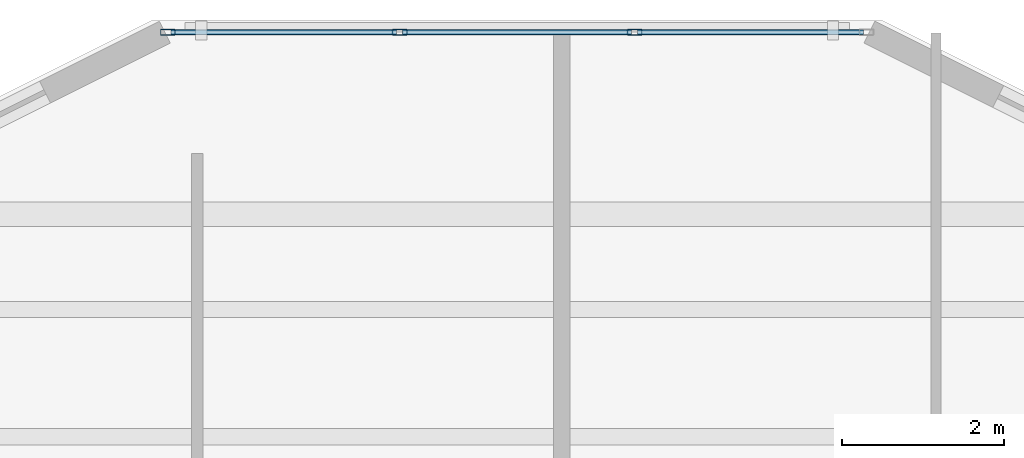
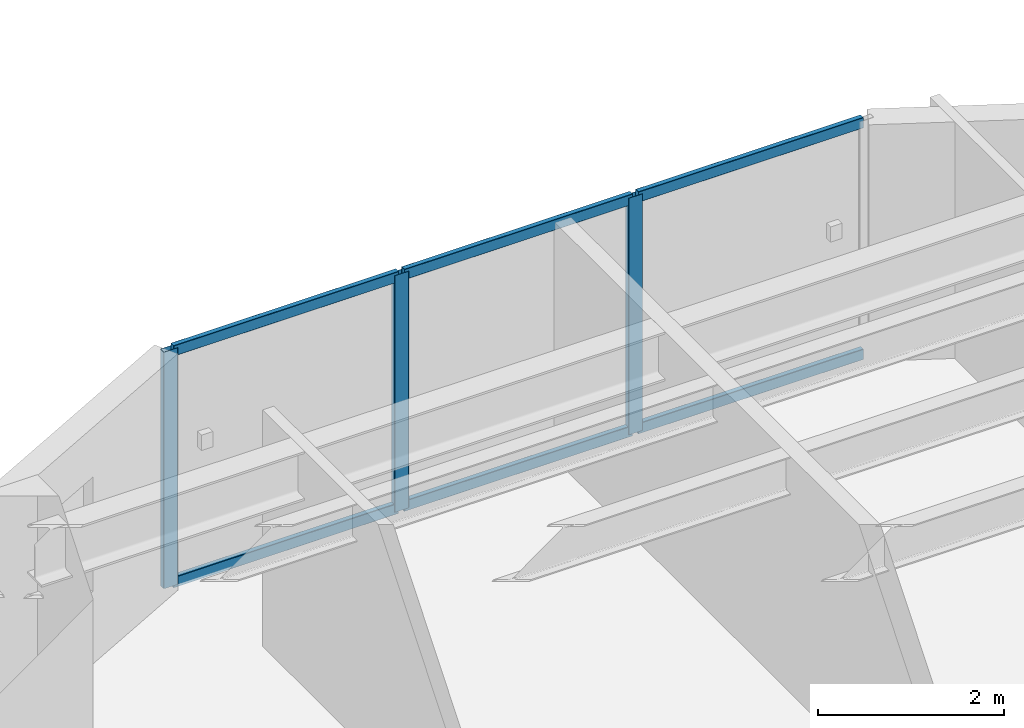
# One storey, part 6 of 21: 9 members, 1 element without a shape of its own.
"""IFC4 building model written with IfcOpenShell, lengths in metres."""

from ifc_helpers import new_model, si_unit, direction, frame, origin, origin_2d, place, context, subcontext, project, spatial, hollow_rectangle, extrude, material, layer, layer_set, material_profile, profile_set, type_object, element, aggregate, save


model = new_model("IFC4")

# Units and contexts
model_context = context("Model", 3, precision=1e-05, world=origin(), true_north=direction((0.0, 1.0)))
body_context = subcontext(model_context, "Body", "Model", "MODEL_VIEW")
ifc_project = project(units=[si_unit("LENGTHUNIT", "METRE"), si_unit("AREAUNIT", "SQUARE_METRE"), si_unit("VOLUMEUNIT", "CUBIC_METRE"), si_unit("PLANEANGLEUNIT", "RADIAN"), si_unit("MASSUNIT", "GRAM", prefix="KILO")], contexts=[model_context])

# Site, building, storey
site_placement = place(None, origin())
site = spatial("IfcSite", under=ifc_project, at=site_placement, CompositionType="ELEMENT")
building_placement = place(site_placement, origin())
building = spatial("IfcBuilding", under=site, at=building_placement, Name="Tarnavaz Court Tower", CompositionType="ELEMENT")
storey_placement = place(building_placement, frame((0.0, 0.0, 47.449951171875)))
storey = spatial("IfcBuildingStorey", under=building, at=storey_placement, Name="L12", CompositionType="ELEMENT", Elevation=47.449951171875)

# Curtain wall, members
ifc_material_1 = material(Name="Anodised Aluminium 6063-T6 and Solar Low-E Glazing", Category="aluminium")
ifc_layer = layer(ifc_material_1, 0.179931640625)
ifc_layer_set = layer_set([ifc_layer], Name="Anodised Aluminium 6063-T6 and Solar Low-E Glazing")
curtain_wall_type = type_object("IfcCurtainWallType", Name="CW-SYS-02", PredefinedType="NOTDEFINED", material=ifc_layer_set)
curtain_wall_placement = place(storey_placement, origin())
curtain_wall = element("IfcCurtainWall", 1, at=curtain_wall_placement, inside=storey, type_object=curtain_wall_type, Name="L12 Iwan Prow Curtain Wall 7", PredefinedType="NOTDEFINED")
ifc_material_2 = material(Name="Anodised Aluminium 6063-T6", Category="aluminium")
ifc_material_profile_1 = material_profile(ifc_material_2, hollow_rectangle(XDim=0.074951171875, YDim=0.179931640625, WallThickness=0.0048828125, InnerFilletRadius=0.0048828125, OuterFilletRadius=0.010009765625, at=origin_2d()), Name="ALU RHS 180X75X5")
ifc_profile_set_1 = profile_set([ifc_material_profile_1], Name="Anodised Aluminium 6063-T6")
member_type_1 = type_object("IfcMemberType", Name="CW-MUL-180", PredefinedType="MULLION", material=ifc_profile_set_1)
member_1_placement = place(storey_placement, frame((-4.3125, 25.050048828125, 0.0), z_axis=(0.0, 0.0, 1.0), x_axis=(0.0, 1.0, 0.0)))
member_1 = element("IfcMember", 2, at=member_1_placement, type_object=member_type_1, Name="CW mullion 1", PredefinedType="MULLION", context=body_context, shape_type="SweptSolid", body=[
    extrude(hollow_rectangle(XDim=0.074951171875, YDim=0.179931640625, WallThickness=0.0048828125, InnerFilletRadius=0.0048828125, OuterFilletRadius=0.010009765625, at=origin_2d()), origin(), (0.0, 0.0, 1.0), 3.10009765625),
])
member_2_placement = place(storey_placement, frame((-1.449951171875, 25.050048828125, 0.0), z_axis=(0.0, 0.0, 1.0), x_axis=(0.0, 1.0, 0.0)))
member_2 = element("IfcMember", 3, at=member_2_placement, type_object=member_type_1, Name="CW mullion 2", PredefinedType="MULLION", context=body_context, shape_type="SweptSolid", body=[
    extrude(hollow_rectangle(XDim=0.074951171875, YDim=0.179931640625, WallThickness=0.0048828125, InnerFilletRadius=0.0048828125, OuterFilletRadius=0.010009765625, at=origin_2d()), origin(), (0.0, 0.0, 1.0), 3.10009765625),
])
member_3_placement = place(storey_placement, frame((1.449951171875, 25.050048828125, 0.0), z_axis=(0.0, 0.0, 1.0), x_axis=(0.0, 1.0, 0.0)))
member_3 = element("IfcMember", 4, at=member_3_placement, type_object=member_type_1, Name="CW mullion 3", PredefinedType="MULLION", context=body_context, shape_type="SweptSolid", body=[
    extrude(hollow_rectangle(XDim=0.074951171875, YDim=0.179931640625, WallThickness=0.0048828125, InnerFilletRadius=0.0048828125, OuterFilletRadius=0.010009765625, at=origin_2d()), origin(), (0.0, 0.0, 1.0), 3.10009765625),
])
ifc_material_profile_2 = material_profile(ifc_material_2, hollow_rectangle(XDim=0.06494140625, YDim=0.139892578125, WallThickness=0.00390625, InnerFilletRadius=0.00390625, OuterFilletRadius=0.008056640625, at=origin_2d()), Name="ALU RHS 140X65X4")
ifc_profile_set_2 = profile_set([ifc_material_profile_2], Name="Anodised Aluminium 6063-T6")
member_type_2 = type_object("IfcMemberType", Name="CW-TRN-140", PredefinedType="USERDEFINED", material=ifc_profile_set_2)
member_4_placement = place(storey_placement, frame((-4.27490234375, 25.050048828125, 0.032470703125), z_axis=(1.0, 0.0, 0.0), x_axis=(0.0, 1.0, 0.0)))
member_4 = element("IfcMember", 5, at=member_4_placement, type_object=member_type_2, Name="CW transom 1.1", ObjectType="TRANSOM", PredefinedType="USERDEFINED", context=body_context, shape_type="SweptSolid", body=[
    extrude(hollow_rectangle(XDim=0.06494140625, YDim=0.139892578125, WallThickness=0.00390625, InnerFilletRadius=0.00390625, OuterFilletRadius=0.008056640625, at=origin_2d()), origin(), (0.0, 0.0, 1.0), 2.787353515625),
])
member_5_placement = place(storey_placement, frame((-4.27490234375, 25.050048828125, 3.067626953125), z_axis=(1.0, 0.0, 0.0), x_axis=(0.0, 1.0, 0.0)))
member_5 = element("IfcMember", 6, at=member_5_placement, type_object=member_type_2, Name="CW transom 1.2", ObjectType="TRANSOM", PredefinedType="USERDEFINED", context=body_context, shape_type="SweptSolid", body=[
    extrude(hollow_rectangle(XDim=0.06494140625, YDim=0.139892578125, WallThickness=0.00390625, InnerFilletRadius=0.00390625, OuterFilletRadius=0.008056640625, at=origin_2d()), origin(), (0.0, 0.0, 1.0), 2.787353515625),
])
member_6_placement = place(storey_placement, frame((-1.41259765625, 25.050048828125, 0.032470703125), z_axis=(1.0, 0.0, 0.0), x_axis=(0.0, 1.0, 0.0)))
member_6 = element("IfcMember", 7, at=member_6_placement, type_object=member_type_2, Name="CW transom 2.1", ObjectType="TRANSOM", PredefinedType="USERDEFINED", context=body_context, shape_type="SweptSolid", body=[
    extrude(hollow_rectangle(XDim=0.06494140625, YDim=0.139892578125, WallThickness=0.00390625, InnerFilletRadius=0.00390625, OuterFilletRadius=0.008056640625, at=origin_2d()), origin(), (0.0, 0.0, 1.0), 2.8251953125),
])
member_7_placement = place(storey_placement, frame((-1.41259765625, 25.050048828125, 3.067626953125), z_axis=(1.0, 0.0, 0.0), x_axis=(0.0, 1.0, 0.0)))
member_7 = element("IfcMember", 8, at=member_7_placement, type_object=member_type_2, Name="CW transom 2.2", ObjectType="TRANSOM", PredefinedType="USERDEFINED", context=body_context, shape_type="SweptSolid", body=[
    extrude(hollow_rectangle(XDim=0.06494140625, YDim=0.139892578125, WallThickness=0.00390625, InnerFilletRadius=0.00390625, OuterFilletRadius=0.008056640625, at=origin_2d()), origin(), (0.0, 0.0, 1.0), 2.8251953125),
])
member_8_placement = place(storey_placement, frame((1.487548828125, 25.050048828125, 0.032470703125), z_axis=(1.0, 0.0, 0.0), x_axis=(0.0, 1.0, 0.0)))
member_8 = element("IfcMember", 9, at=member_8_placement, type_object=member_type_2, Name="CW transom 3.1", ObjectType="TRANSOM", PredefinedType="USERDEFINED", context=body_context, shape_type="SweptSolid", body=[
    extrude(hollow_rectangle(XDim=0.06494140625, YDim=0.139892578125, WallThickness=0.00390625, InnerFilletRadius=0.00390625, OuterFilletRadius=0.008056640625, at=origin_2d()), origin(), (0.0, 0.0, 1.0), 2.787353515625),
])
member_9_placement = place(storey_placement, frame((1.487548828125, 25.050048828125, 3.067626953125), z_axis=(1.0, 0.0, 0.0), x_axis=(0.0, 1.0, 0.0)))
member_9 = element("IfcMember", 10, at=member_9_placement, type_object=member_type_2, Name="CW transom 3.2", ObjectType="TRANSOM", PredefinedType="USERDEFINED", context=body_context, shape_type="SweptSolid", body=[
    extrude(hollow_rectangle(XDim=0.06494140625, YDim=0.139892578125, WallThickness=0.00390625, InnerFilletRadius=0.00390625, OuterFilletRadius=0.008056640625, at=origin_2d()), origin(), (0.0, 0.0, 1.0), 2.787353515625),
])
aggregate(curtain_wall, [member_1, member_2, member_3, member_4, member_5, member_6, member_7, member_8, member_9])

save(model, "model.ifc")
